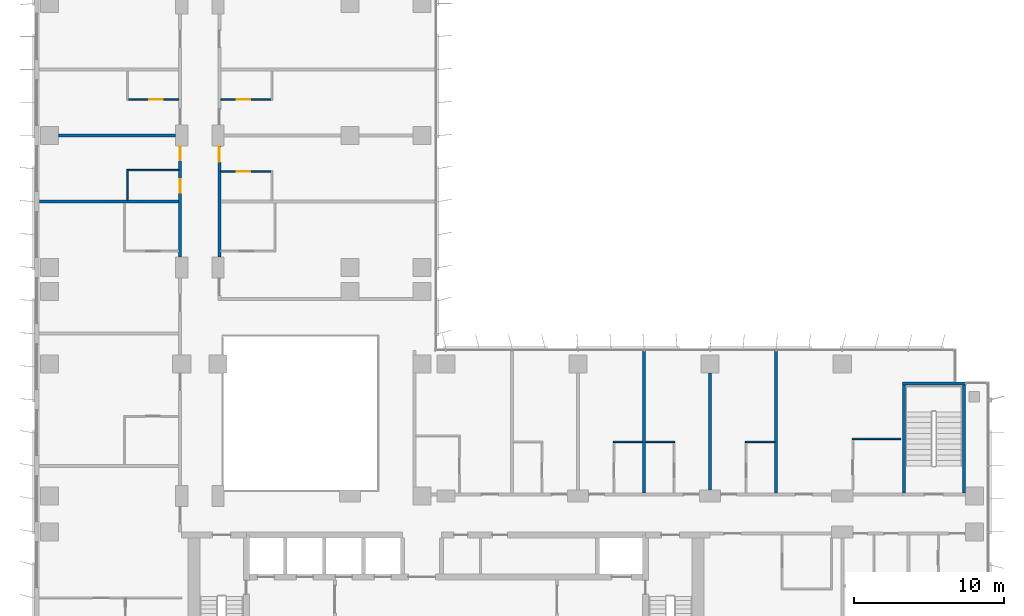
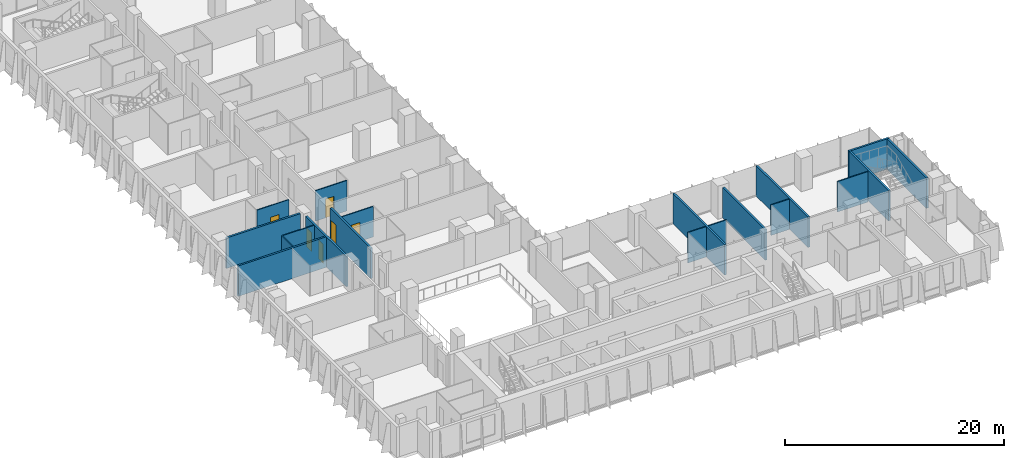
# One storey, part 15 of 23: 19 walls, 6 doors, 6 openings.
"""IFC4 building model written with IfcOpenShell, lengths in metres."""

import ifcopenshell
import ifcopenshell.guid

model = None  # the IFC model being written
_history = None  # IfcOwnerHistory: only IFC2X3 demands one
_inside = {}  # id of a spatial element -> (the spatial element, [elements in it])
_under = {}  # id of a project, library or spatial element -> (it, [spatial elements below it])
_declared = {}  # id of a project -> (the project, [libraries it declares])
_typed = {}  # id of a type object -> (the type object, [elements of that type])
_made_of = {}  # id of a material, layer set ... -> (it, [elements and type objects made of it])


def new_model(schema):
    """Start an empty IFC model of exactly this schema.

    Asked for "IFC4X3", IfcOpenShell would pick the latest addendum, in which some entities
    have other attributes; the version numbers below select the first issue.
    IFC2X3 requires an IfcOwnerHistory on every rooted entity: one is made here for all.
    """
    global model, _history
    if schema == "IFC4X3":
        model = ifcopenshell.file(schema_version=(4, 3, 0, 0))
    else:
        model = ifcopenshell.file(schema=schema)
    _inside.clear()
    _under.clear()
    _declared.clear()
    _typed.clear()
    _made_of.clear()
    _history = None
    if model.schema == "IFC2X3":
        org = make("IfcOrganization", Name="unknown")
        user = make(
            "IfcPersonAndOrganization",
            ThePerson=make("IfcPerson", FamilyName="unknown"),
            TheOrganization=org,
        )
        app = make(
            "IfcApplication",
            ApplicationDeveloper=org,
            Version="unknown",
            ApplicationFullName="unknown",
            ApplicationIdentifier="unknown",
        )
        _history = make(
            "IfcOwnerHistory",
            OwningUser=user,
            OwningApplication=app,
            ChangeAction="ADDED",
            CreationDate=0,
        )
    return model


def make(cls, **values):
    """One entity of the class cls with the attributes given. An attribute that is None is left unset."""
    return model.create_entity(
        cls, **{name: value for name, value in values.items() if value is not None}
    )


def rooted(cls, **values):
    """An entity with a GlobalId (a new one), such as an element, a storey or a relation."""
    return make(cls, GlobalId=ifcopenshell.guid.new(), OwnerHistory=_history, **values)


def si_unit(unit_type, name, prefix=None):
    """IfcSIUnit, for example si_unit("LENGTHUNIT", "METRE", prefix="MILLI")."""
    return make("IfcSIUnit", UnitType=unit_type, Prefix=prefix, Name=name)


def assignment(units):
    """IfcUnitAssignment: the units of a project."""
    return None if units is None else make("IfcUnitAssignment", Units=units)


def point(xyz):
    """IfcCartesianPoint."""
    return None if xyz is None else make("IfcCartesianPoint", Coordinates=xyz)


def direction(xyz):
    """IfcDirection."""
    return None if xyz is None else make("IfcDirection", DirectionRatios=xyz)


def frame(location, z_axis=None, x_axis=None):
    """IfcAxis2Placement3D, a coordinate frame: its origin and axes. An axis left out is left unset."""
    return make(
        "IfcAxis2Placement3D",
        Location=point(location),
        Axis=direction(z_axis),
        RefDirection=direction(x_axis),
    )


def frame_2d(location, x_axis=None):
    """IfcAxis2Placement2D, a coordinate frame in the plane: its origin and x axis."""
    return make(
        "IfcAxis2Placement2D", Location=point(location), RefDirection=direction(x_axis)
    )


def origin():
    """The frame at (0, 0, 0) with its axes left unset."""
    return frame((0.0, 0.0, 0.0))


def place(relative_to, where):
    """IfcLocalPlacement: puts the frame where relative to a parent placement (None: the world)."""
    return make(
        "IfcLocalPlacement", PlacementRelTo=relative_to, RelativePlacement=where
    )


def context(
    kind, dimensions, precision=None, world=None, true_north=None, identifier=None
):
    """IfcGeometricRepresentationContext, for example the 3D "Model" context."""
    return make(
        "IfcGeometricRepresentationContext",
        ContextIdentifier=identifier,
        ContextType=kind,
        CoordinateSpaceDimension=dimensions,
        Precision=precision,
        WorldCoordinateSystem=world,
        TrueNorth=true_north,
    )


def subcontext(parent, identifier, kind, view, scale=None):
    """IfcGeometricRepresentationSubContext, for example "Body" below "Model"."""
    return make(
        "IfcGeometricRepresentationSubContext",
        ContextIdentifier=identifier,
        ContextType=kind,
        ParentContext=parent,
        TargetScale=scale,
        TargetView=view,
    )


def project(units=None, contexts=None):
    """IfcProject with its units and contexts."""
    return rooted(
        "IfcProject",
        Name="project",
        RepresentationContexts=contexts,
        UnitsInContext=assignment(units),
    )


def spatial(cls, under=None, at=None, **own):
    """A site, building, storey or space (cls), placed at a placement, below another one or the project."""
    s = rooted(cls, ObjectPlacement=at, **own)
    if under is not None:
        _under.setdefault(under.id(), (under, []))[1].append(s)
    return s


def profile(cls, at=None, kind="AREA", **sizes):
    """A parametric profile (cls). Its sizes go by their IFC names, for example OverallWidth=200.0."""
    return make(cls, ProfileType=kind, Position=at, **sizes)


def rectangle(**sizes):
    """IfcRectangleProfileDef."""
    return profile("IfcRectangleProfileDef", **sizes)


def extrude(swept, where, along, depth):
    """IfcExtrudedAreaSolid: the profile swept, set in the frame where, extruded along a direction by depth."""
    return make(
        "IfcExtrudedAreaSolid",
        SweptArea=swept,
        Position=where,
        ExtrudedDirection=direction(along),
        Depth=depth,
    )


def shape(context_of_items, identifier, shape_type, items):
    """IfcShapeRepresentation: the items that make up one representation, for example the "Body"."""
    return make(
        "IfcShapeRepresentation",
        ContextOfItems=context_of_items,
        RepresentationIdentifier=identifier,
        RepresentationType=shape_type,
        Items=items,
    )


def material(Name=None, Category=None):
    """IfcMaterial."""
    return make("IfcMaterial", Name=Name, Category=Category)


def layer(
    of_material, thickness, ventilated=None, Name=None, Category=None, Priority=None
):
    """IfcMaterialLayer: one layer of a wall or slab, of a material (None: an air gap)."""
    return make(
        "IfcMaterialLayer",
        Material=of_material,
        LayerThickness=thickness,
        IsVentilated=ventilated,
        Name=Name,
        Category=Category,
        Priority=Priority,
    )


def layer_set(layers, Name=None):
    """IfcMaterialLayerSet."""
    return make("IfcMaterialLayerSet", MaterialLayers=layers, LayerSetName=Name)


def made_of(thing, what):
    """Note that an element or type object is made of a material, layer set ...; save() writes the relation."""
    if what is not None:
        _made_of.setdefault(what.id(), (what, []))[1].append(thing)
    return thing


def type_object(cls, material=None, **own):
    """A type object (cls), such as IfcWallType, which elements share."""
    return made_of(rooted(cls, **own), material)


def element(
    cls,
    number,
    at=None,
    inside=None,
    cuts=None,
    type_object=None,
    material=None,
    context=None,
    identifier="Body",
    shape_type=None,
    held_by="IfcProductDefinitionShape",
    body=None,
    shapes=None,
    **own,
):
    """One element of the class cls, such as IfcWall. Its Tag is "e" and its number.

    at: its placement. inside: the storey or other place that contains it. cuts: it is an
    opening in that element (IfcRelVoidsElement). A single representation is given by context,
    identifier, shape_type and body (its items); several are given by shapes. held_by: the class
    of the entity that holds the representations. save() writes the other relations.
    """
    e = rooted(cls, Tag="e%d" % number, ObjectPlacement=at, **own)
    if body is not None:
        shapes = [shape(context, identifier, shape_type, body)]
    if shapes is not None:
        e.Representation = make(held_by, Representations=shapes)
    if inside is not None:
        _inside.setdefault(inside.id(), (inside, []))[1].append(e)
    if cuts is not None:
        rooted(
            "IfcRelVoidsElement", RelatingBuildingElement=cuts, RelatedOpeningElement=e
        )
    if type_object is not None:
        _typed.setdefault(type_object.id(), (type_object, []))[1].append(e)
    return made_of(e, material)


def fill(opening, filler):
    """IfcRelFillsElement: the door or window that sits in an opening."""
    return rooted(
        "IfcRelFillsElement",
        RelatingOpeningElement=opening,
        RelatedBuildingElement=filler,
    )


def aggregate(whole, parts):
    """IfcRelAggregates: a whole, such as a stair, and the parts it consists of."""
    return rooted("IfcRelAggregates", RelatingObject=whole, RelatedObjects=parts)


def save(model, path):
    """Write the relations noted so far, then the file.

    IfcRelAggregates (storeys below a building ...), IfcRelContainedInSpatialStructure (elements
    in a storey), IfcRelDefinesByType, IfcRelAssociatesMaterial and IfcRelDeclares: one each for
    every whole, place, type object, material and project.
    """
    for whole, parts in _under.values():
        aggregate(whole, parts)
    for where, things in _inside.values():
        rooted(
            "IfcRelContainedInSpatialStructure",
            RelatedElements=things,
            RelatingStructure=where,
        )
    for kind, things in _typed.values():
        rooted("IfcRelDefinesByType", RelatedObjects=things, RelatingType=kind)
    for what, things in _made_of.values():
        rooted("IfcRelAssociatesMaterial", RelatedObjects=things, RelatingMaterial=what)
    for by, libraries in _declared.values():
        rooted("IfcRelDeclares", RelatingContext=by, RelatedDefinitions=libraries)
    model.write(path)


model = new_model("IFC4")

# Units and contexts
model_context = context("Model", 3, precision=1e-05, world=origin(), true_north=direction((0.0, 1.0)))
body_context = subcontext(model_context, "Body", "Model", "MODEL_VIEW")
ifc_project = project(units=[si_unit("LENGTHUNIT", "METRE"), si_unit("AREAUNIT", "SQUARE_METRE"), si_unit("VOLUMEUNIT", "CUBIC_METRE"), si_unit("PLANEANGLEUNIT", "RADIAN"), si_unit("MASSUNIT", "GRAM", prefix="KILO")], contexts=[model_context])

# Site, building, storey
site_placement = place(None, origin())
site = spatial("IfcSite", under=ifc_project, at=site_placement, CompositionType="ELEMENT")
building_placement = place(site_placement, origin())
building = spatial("IfcBuilding", under=site, at=building_placement, Name="Kemantara Hotel Tower", CompositionType="ELEMENT")
storey_placement = place(building_placement, frame((0.0, 0.0, 138.300048828125)))
storey = spatial("IfcBuildingStorey", under=building, at=storey_placement, Name="L33", CompositionType="ELEMENT", Elevation=138.300048828125)

# Wall, openings, doors
ifc_material_1 = material(Name="Gypsum board partition, steel studs and mineral wool, 200 mm", Category="steel")
ifc_layer_1 = layer(ifc_material_1, 0.199951171875)
ifc_layer_set_1 = layer_set([ifc_layer_1], Name="Gypsum board partition, steel studs and mineral wool, 200 mm")
wall_type_1 = type_object("IfcWallType", Name="CORRIDOR WALL 200", PredefinedType="PARTITIONING", material=ifc_layer_set_1)
wall_1_placement = place(storey_placement, frame((9.699951171875, 28.10009765625, 0.0), z_axis=(0.0, 0.0, 1.0), x_axis=(0.0, 1.0, 0.0)))
wall_1 = element("IfcWall", 1, at=wall_1_placement, inside=storey, type_object=wall_type_1, Name="CORRIDOR WALL 200 020", PredefinedType="PARTITIONING", context=body_context, shape_type="SweptSolid", body=[
    extrude(rectangle(XDim=7.39990234375, YDim=0.199951171875, at=frame_2d((3.699951171875, 0.0))), origin(), (0.0, 0.0, 1.0), 3.39990234375),
])
opening_1_placement = place(wall_1_placement, frame((6.449951171875, 0.0, 0.0)))
opening_1 = element("IfcOpeningElement", 2, at=opening_1_placement, cuts=wall_1, Name="Opening F15-027", PredefinedType="OPENING", context=body_context, shape_type="SweptSolid", body=[
    extrude(rectangle(XDim=0.89990234375, YDim=2.10009765625, at=frame_2d((0.449951171875, 1.050048828125))), frame((0.0, 0.10986328125, 0.0), z_axis=(0.0, -1.0, 0.0), x_axis=(1.0, 0.0, 0.0)), (0.0, 0.0, 1.0), 0.219970703125),
])
opening_2_placement = place(wall_1_placement, frame((4.2998046875, 0.0, 0.0)))
opening_2 = element("IfcOpeningElement", 3, at=opening_2_placement, cuts=wall_1, Name="Opening F15-028", PredefinedType="OPENING", context=body_context, shape_type="SweptSolid", body=[
    extrude(rectangle(XDim=0.89990234375, YDim=2.10009765625, at=frame_2d((0.449951171875, 1.050048828125))), frame((0.0, 0.10986328125, 0.0), z_axis=(0.0, -1.0, 0.0), x_axis=(1.0, 0.0, 0.0)), (0.0, 0.0, 1.0), 0.219970703125),
])
ifc_material_2 = material(Name="Steel door leaf with steel frame", Category="steel")
door_type_1 = type_object("IfcDoorType", Name="SERVICE ROOM DOOR 900 X 2100 FD60", OperationType="NOTDEFINED", PredefinedType="DOOR", material=ifc_material_2)
door_1_placement = place(opening_1_placement, origin())
door_1 = element("IfcDoor", 4, at=door_1_placement, inside=storey, type_object=door_type_1, Name="SERVICE ROOM DOOR F15-027", OperationType="SINGLE_SWING_RIGHT", OverallHeight=2.10009765625, OverallWidth=0.89990234375, PredefinedType="DOOR", context=body_context, shape_type="SweptSolid", body=[
    extrude(rectangle(XDim=0.89990234375, YDim=2.10009765625, at=frame_2d((0.449951171875, 1.050048828125))), frame((0.0, 0.02490234375, 0.0), z_axis=(0.0, -1.0, 0.0), x_axis=(1.0, 0.0, 0.0)), (0.0, 0.0, 1.0), 0.050048828125),
])
fill(opening_1, door_1)
door_2_placement = place(opening_2_placement, origin())
door_2 = element("IfcDoor", 5, at=door_2_placement, inside=storey, type_object=door_type_1, Name="SERVICE ROOM DOOR F15-028", OperationType="SINGLE_SWING_LEFT", OverallHeight=2.10009765625, OverallWidth=0.89990234375, PredefinedType="DOOR", context=body_context, shape_type="SweptSolid", body=[
    extrude(rectangle(XDim=0.89990234375, YDim=2.10009765625, at=frame_2d((0.449951171875, 1.050048828125))), frame((0.0, 0.02490234375, 0.0), z_axis=(0.0, -1.0, 0.0), x_axis=(1.0, 0.0, 0.0)), (0.0, 0.0, 1.0), 0.050048828125),
])
fill(opening_2, door_2)

# Wall, opening, door
wall_2_placement = place(storey_placement, frame((12.300048828125, 35.5, 0.0), z_axis=(0.0, 0.0, 1.0), x_axis=(0.0, -1.0, 0.0)))
wall_2 = element("IfcWall", 6, at=wall_2_placement, inside=storey, type_object=wall_type_1, Name="CORRIDOR WALL 200 040", PredefinedType="PARTITIONING", context=body_context, shape_type="SweptSolid", body=[
    extrude(rectangle(XDim=7.39990234375, YDim=0.199951171875, at=frame_2d((3.699951171875, 0.0))), origin(), (0.0, 0.0, 1.0), 3.39990234375),
])
opening_3_placement = place(wall_2_placement, frame((0.0498046875, 0.0, 0.0)))
opening_3 = element("IfcOpeningElement", 7, at=opening_3_placement, cuts=wall_2, Name="Opening F15-043", PredefinedType="OPENING", context=body_context, shape_type="SweptSolid", body=[
    extrude(rectangle(XDim=1.0, YDim=2.10009765625, at=frame_2d((0.5, 1.050048828125))), frame((0.0, 0.10986328125, 0.0), z_axis=(0.0, -1.0, 0.0), x_axis=(1.0, 0.0, 0.0)), (0.0, 0.0, 1.0), 0.219970703125),
])
ifc_material_3 = material(Name="Hardwood veneer door leaf with steel frame", Category="steel")
door_type_2 = type_object("IfcDoorType", Name="GUEST ROOM DOOR 1000 X 2100 FD30S", OperationType="NOTDEFINED", PredefinedType="DOOR", material=ifc_material_3)
door_3_placement = place(opening_3_placement, origin())
door_3 = element("IfcDoor", 8, at=door_3_placement, inside=storey, type_object=door_type_2, Name="GUEST ROOM DOOR F15-043", OperationType="SINGLE_SWING_LEFT", OverallHeight=2.10009765625, OverallWidth=1.0, PredefinedType="DOOR", context=body_context, shape_type="SweptSolid", body=[
    extrude(rectangle(XDim=1.0, YDim=2.10009765625, at=frame_2d((0.5, 1.050048828125))), frame((0.0, 0.02490234375, 0.0), z_axis=(0.0, -1.0, 0.0), x_axis=(1.0, 0.0, 0.0)), (0.0, 0.0, 1.0), 0.050048828125),
])
fill(opening_3, door_3)

# Walls
ifc_material_4 = material(Name="Concrete fc 40 MPa", Category="concrete")
ifc_layer_2 = layer(ifc_material_4, 0.199951171875)
ifc_layer_set_2 = layer_set([ifc_layer_2], Name="Concrete fc 40 MPa")
wall_type_2 = type_object("IfcWallType", Name="Concrete stair wall 200 mm", PredefinedType="SHEAR", material=ifc_layer_set_2)
wall_3_placement = place(storey_placement, frame((57.800048828125, 19.699951171875, 0.0), z_axis=(0.0, 0.0, 1.0), x_axis=(1.0, 0.0, 0.0)))
element("IfcWall", 9, at=wall_3_placement, inside=storey, type_object=wall_type_2, Name="Stair ST3 enclosure wall N", PredefinedType="SHEAR", context=body_context, shape_type="SweptSolid", body=[
    extrude(rectangle(XDim=4.199951171875, YDim=0.199951171875, at=frame_2d((2.10009765625, 0.0))), origin(), (0.0, 0.0, 1.0), 3.39990234375),
])
for number, where, z_axis, x_axis, name in (
    (10, (57.89990234375, 12.39990234375, 0.0), (0.0, 0.0, 1.0), (0.0, 1.0, 0.0), "Stair ST3 enclosure wall W"),
    (11, (61.89990234375, 12.39990234375, 0.0), (0.0, 0.0, 1.0), (0.0, 1.0, 0.0), "Stair ST3 enclosure wall E"),
):
    element("IfcWall", number, at=place(storey_placement, frame(where, z_axis=z_axis, x_axis=x_axis)), inside=storey, type_object=wall_type_2, Name=name, PredefinedType="SHEAR", context=body_context, shape_type="SweptSolid", body=[
        extrude(rectangle(XDim=7.2001953125, YDim=0.199951171875, at=frame_2d((3.60009765625, 0.0))), origin(), (0.0, 0.0, 1.0), 3.39990234375),
    ])
ifc_layer_3 = layer(ifc_material_1, 0.199951171875)
ifc_layer_set_3 = layer_set([ifc_layer_3], Name="Gypsum board partition, steel studs and mineral wool, 200 mm")
wall_type_3 = type_object("IfcWallType", Name="GUEST ROOM PARTY WALL 200", PredefinedType="PARTITIONING", material=ifc_layer_set_3)
wall_4_placement = place(storey_placement, frame((40.60009765625, 12.39990234375, 0.0), z_axis=(0.0, 0.0, 1.0), x_axis=(0.0, 1.0, 0.0)))
element("IfcWall", 12, at=wall_4_placement, inside=storey, type_object=wall_type_3, Name="GUEST ROOM PARTY WALL 200 014", PredefinedType="PARTITIONING", context=body_context, shape_type="SweptSolid", body=[
    extrude(rectangle(XDim=9.47021484375, YDim=0.199951171875, at=frame_2d((4.735107421875, 0.0))), origin(), (0.0, 0.0, 1.0), 3.39990234375),
])
wall_5_placement = place(storey_placement, frame((45.0, 12.60009765625, 0.0), z_axis=(0.0, 0.0, 1.0), x_axis=(0.0, 1.0, 0.0)))
element("IfcWall", 13, at=wall_5_placement, inside=storey, type_object=wall_type_3, Name="GUEST ROOM PARTY WALL 200 015", PredefinedType="PARTITIONING", context=body_context, shape_type="SweptSolid", body=[
    extrude(rectangle(XDim=7.7998046875, YDim=0.199951171875, at=frame_2d((3.89990234375, 0.0))), origin(), (0.0, 0.0, 1.0), 3.39990234375),
])
wall_6_placement = place(storey_placement, frame((49.39990234375, 12.39990234375, 0.0), z_axis=(0.0, 0.0, 1.0), x_axis=(0.0, 1.0, 0.0)))
element("IfcWall", 14, at=wall_6_placement, inside=storey, type_object=wall_type_3, Name="GUEST ROOM PARTY WALL 200 016", PredefinedType="PARTITIONING", context=body_context, shape_type="SweptSolid", body=[
    extrude(rectangle(XDim=9.47021484375, YDim=0.199951171875, at=frame_2d((4.735107421875, 0.0))), origin(), (0.0, 0.0, 1.0), 3.39990234375),
])
wall_7_placement = place(storey_placement, frame((0.31005859375, 31.800048828125, 0.0), z_axis=(0.0, 0.0, 1.0), x_axis=(1.0, 0.0, 0.0)))
element("IfcWall", 15, at=wall_7_placement, inside=storey, type_object=wall_type_3, Name="GUEST ROOM PARTY WALL 200 028", PredefinedType="PARTITIONING", context=body_context, shape_type="SweptSolid", body=[
    extrude(rectangle(XDim=9.2900390625, YDim=0.199951171875, at=frame_2d((4.64501953125, 0.0))), origin(), (0.0, 0.0, 1.0), 3.39990234375),
])
wall_8_placement = place(storey_placement, frame((1.60009765625, 36.199951171875, 0.0), z_axis=(0.0, 0.0, 1.0), x_axis=(1.0, 0.0, 0.0)))
element("IfcWall", 16, at=wall_8_placement, inside=storey, type_object=wall_type_3, Name="GUEST ROOM PARTY WALL 200 030", PredefinedType="PARTITIONING", context=body_context, shape_type="SweptSolid", body=[
    extrude(rectangle(XDim=7.7998046875, YDim=0.199951171875, at=frame_2d((3.89990234375, 0.0))), origin(), (0.0, 0.0, 1.0), 3.39990234375),
])
ifc_material_5 = material(Name="Gypsum board partition on steel studs, 100 mm", Category="steel")
ifc_layer_4 = layer(ifc_material_5, 0.10009765625)
ifc_layer_set_4 = layer_set([ifc_layer_4], Name="Gypsum board partition on steel studs, 100 mm")
wall_type_4 = type_object("IfcWallType", Name="ROOM PARTITION 100", PredefinedType="PARTITIONING", material=ifc_layer_set_4)
for number, where, z_axis, x_axis, name in (
    (17, (38.550048828125, 15.800048828125, 0.0), (0.0, 0.0, 1.0), (1.0, 0.0, 0.0), "ROOM PARTITION 100 061"),
    (18, (40.699951171875, 15.800048828125, 0.0), (0.0, 0.0, 1.0), (1.0, 0.0, 0.0), "ROOM PARTITION 100 062"),
    (19, (47.35009765625, 15.800048828125, 0.0), (0.0, 0.0, 1.0), (1.0, 0.0, 0.0), "ROOM PARTITION 100 063"),
):
    element("IfcWall", number, at=place(storey_placement, frame(where, z_axis=z_axis, x_axis=x_axis)), inside=storey, type_object=wall_type_4, Name=name, PredefinedType="PARTITIONING", context=body_context, shape_type="SweptSolid", body=[
        extrude(rectangle(XDim=1.949951171875, YDim=0.10009765625, at=frame_2d((0.97509765625, 0.0))), origin(), (0.0, 0.0, 1.0), 3.39990234375),
    ])
wall_9_placement = place(storey_placement, frame((54.449951171875, 16.0, 0.0), z_axis=(0.0, 0.0, 1.0), x_axis=(1.0, 0.0, 0.0)))
element("IfcWall", 20, at=wall_9_placement, inside=storey, type_object=wall_type_4, Name="ROOM PARTITION 100 068", PredefinedType="PARTITIONING", context=body_context, shape_type="SweptSolid", body=[
    extrude(rectangle(XDim=3.25, YDim=0.10009765625, at=frame_2d((1.625, 0.0))), origin(), (0.0, 0.0, 1.0), 3.39990234375),
])
wall_10_placement = place(storey_placement, frame((6.199951171875, 31.89990234375, 0.0), z_axis=(0.0, 0.0, 1.0), x_axis=(0.0, 1.0, 0.0)))
element("IfcWall", 21, at=wall_10_placement, inside=storey, type_object=wall_type_4, Name="ROOM PARTITION 100 082", PredefinedType="PARTITIONING", context=body_context, shape_type="SweptSolid", body=[
    extrude(rectangle(XDim=2.050048828125, YDim=0.10009765625, at=frame_2d((1.02490234375, 0.0))), origin(), (0.0, 0.0, 1.0), 3.39990234375),
])
wall_11_placement = place(storey_placement, frame((6.25, 33.89990234375, 0.0), z_axis=(0.0, 0.0, 1.0), x_axis=(1.0, 0.0, 0.0)))
element("IfcWall", 22, at=wall_11_placement, inside=storey, type_object=wall_type_4, Name="ROOM PARTITION 100 086", PredefinedType="PARTITIONING", context=body_context, shape_type="SweptSolid", body=[
    extrude(rectangle(XDim=3.35009765625, YDim=0.10009765625, at=frame_2d((1.675048828125, 0.0))), origin(), (0.0, 0.0, 1.0), 3.39990234375),
])

# Wall, opening, door
wall_12_placement = place(storey_placement, frame((6.25, 38.60009765625, 0.0), z_axis=(0.0, 0.0, 1.0), x_axis=(1.0, 0.0, 0.0)))
wall_12 = element("IfcWall", 23, at=wall_12_placement, inside=storey, type_object=wall_type_4, Name="ROOM PARTITION 100 087", PredefinedType="PARTITIONING", context=body_context, shape_type="SweptSolid", body=[
    extrude(rectangle(XDim=3.35009765625, YDim=0.10009765625, at=frame_2d((1.675048828125, 0.0))), origin(), (0.0, 0.0, 1.0), 3.39990234375),
])
opening_4_placement = place(wall_12_placement, frame((1.39990234375, 0.0, 0.0)))
opening_4 = element("IfcOpeningElement", 24, at=opening_4_placement, cuts=wall_12, Name="Opening F15-030", PredefinedType="OPENING", context=body_context, shape_type="SweptSolid", body=[
    extrude(rectangle(XDim=0.89990234375, YDim=2.10009765625, at=frame_2d((0.449951171875, 1.050048828125))), frame((0.0, 0.06005859375, 0.0), z_axis=(0.0, -1.0, 0.0), x_axis=(1.0, 0.0, 0.0)), (0.0, 0.0, 1.0), 0.1201171875),
])
door_type_3 = type_object("IfcDoorType", Name="BATHROOM DOOR 900 X 2100", OperationType="NOTDEFINED", PredefinedType="DOOR", material=ifc_material_3)
door_4_placement = place(opening_4_placement, origin())
door_4 = element("IfcDoor", 25, at=door_4_placement, inside=storey, type_object=door_type_3, Name="BATHROOM DOOR F15-030", OperationType="SINGLE_SWING_RIGHT", OverallHeight=2.10009765625, OverallWidth=0.89990234375, PredefinedType="DOOR", context=body_context, shape_type="SweptSolid", body=[
    extrude(rectangle(XDim=0.89990234375, YDim=2.10009765625, at=frame_2d((0.449951171875, 1.050048828125))), frame((0.0, 0.02490234375, 0.0), z_axis=(0.0, -1.0, 0.0), x_axis=(1.0, 0.0, 0.0)), (0.0, 0.0, 1.0), 0.050048828125),
])
fill(opening_4, door_4)

wall_13_placement = place(storey_placement, frame((12.39990234375, 38.60009765625, 0.0), z_axis=(0.0, 0.0, 1.0), x_axis=(1.0, 0.0, 0.0)))
wall_13 = element("IfcWall", 26, at=wall_13_placement, inside=storey, type_object=wall_type_4, Name="ROOM PARTITION 100 088", PredefinedType="PARTITIONING", context=body_context, shape_type="SweptSolid", body=[
    extrude(rectangle(XDim=3.35009765625, YDim=0.10009765625, at=frame_2d((1.675048828125, 0.0))), origin(), (0.0, 0.0, 1.0), 3.39990234375),
])
opening_5_placement = place(wall_13_placement, frame((1.050048828125, 0.0, 0.0)))
opening_5 = element("IfcOpeningElement", 27, at=opening_5_placement, cuts=wall_13, Name="Opening F15-046", PredefinedType="OPENING", context=body_context, shape_type="SweptSolid", body=[
    extrude(rectangle(XDim=0.89990234375, YDim=2.10009765625, at=frame_2d((0.449951171875, 1.050048828125))), frame((0.0, 0.06005859375, 0.0), z_axis=(0.0, -1.0, 0.0), x_axis=(1.0, 0.0, 0.0)), (0.0, 0.0, 1.0), 0.1201171875),
])
door_5_placement = place(opening_5_placement, origin())
door_5 = element("IfcDoor", 28, at=door_5_placement, inside=storey, type_object=door_type_3, Name="BATHROOM DOOR F15-046", OperationType="SINGLE_SWING_LEFT", OverallHeight=2.10009765625, OverallWidth=0.89990234375, PredefinedType="DOOR", context=body_context, shape_type="SweptSolid", body=[
    extrude(rectangle(XDim=0.89990234375, YDim=2.10009765625, at=frame_2d((0.449951171875, 1.050048828125))), frame((0.0, 0.02490234375, 0.0), z_axis=(0.0, -1.0, 0.0), x_axis=(1.0, 0.0, 0.0)), (0.0, 0.0, 1.0), 0.050048828125),
])
fill(opening_5, door_5)

wall_14_placement = place(storey_placement, frame((15.75, 33.800048828125, 0.0), z_axis=(0.0, 0.0, 1.0), x_axis=(-1.0, 0.0, 0.0)))
wall_14 = element("IfcWall", 29, at=wall_14_placement, inside=storey, type_object=wall_type_4, Name="ROOM PARTITION 100 102", PredefinedType="PARTITIONING", context=body_context, shape_type="SweptSolid", body=[
    extrude(rectangle(XDim=3.35009765625, YDim=0.10009765625, at=frame_2d((1.675048828125, 0.0))), origin(), (0.0, 0.0, 1.0), 3.39990234375),
])
opening_6_placement = place(wall_14_placement, frame((1.39990234375, 0.0, 0.0)))
opening_6 = element("IfcOpeningElement", 30, at=opening_6_placement, cuts=wall_14, Name="Opening F15-044", PredefinedType="OPENING", context=body_context, shape_type="SweptSolid", body=[
    extrude(rectangle(XDim=0.89990234375, YDim=2.10009765625, at=frame_2d((0.449951171875, 1.050048828125))), frame((0.0, 0.06005859375, 0.0), z_axis=(0.0, -1.0, 0.0), x_axis=(1.0, 0.0, 0.0)), (0.0, 0.0, 1.0), 0.1201171875),
])
door_6_placement = place(opening_6_placement, origin())
door_6 = element("IfcDoor", 31, at=door_6_placement, inside=storey, type_object=door_type_3, Name="BATHROOM DOOR F15-044", OperationType="SINGLE_SWING_RIGHT", OverallHeight=2.10009765625, OverallWidth=0.89990234375, PredefinedType="DOOR", context=body_context, shape_type="SweptSolid", body=[
    extrude(rectangle(XDim=0.89990234375, YDim=2.10009765625, at=frame_2d((0.449951171875, 1.050048828125))), frame((0.0, 0.02490234375, 0.0), z_axis=(0.0, -1.0, 0.0), x_axis=(1.0, 0.0, 0.0)), (0.0, 0.0, 1.0), 0.050048828125),
])
fill(opening_6, door_6)

save(model, "model.ifc")
